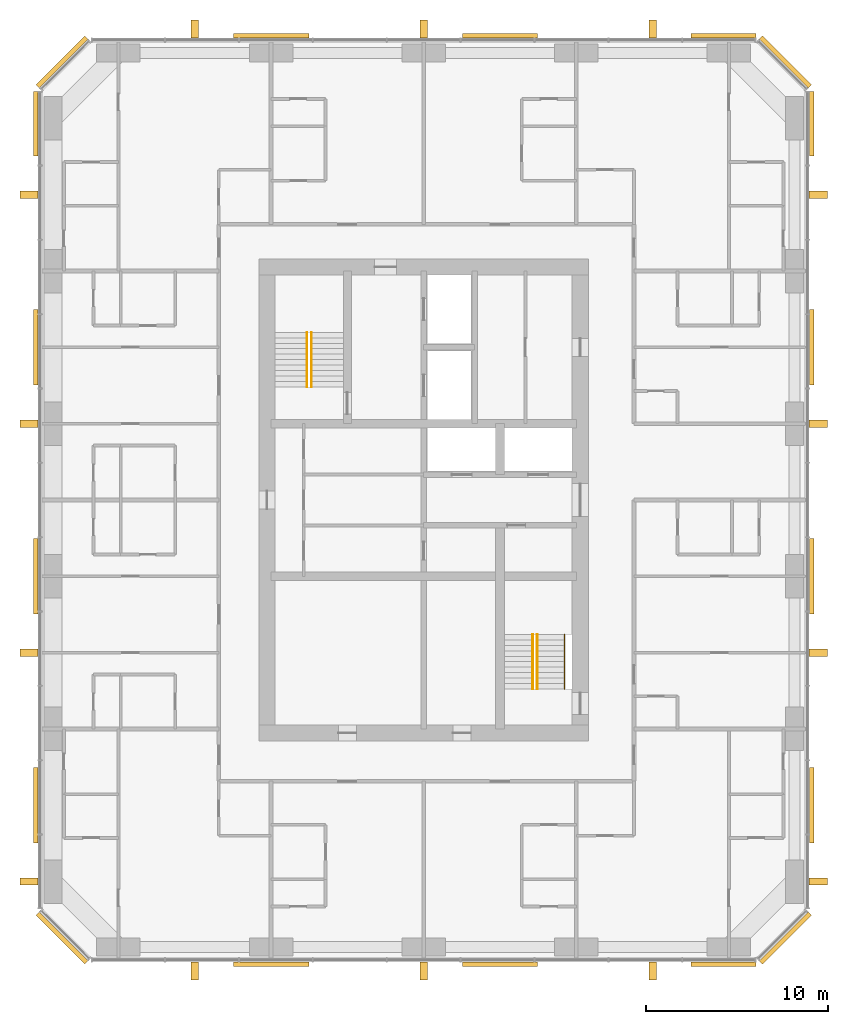
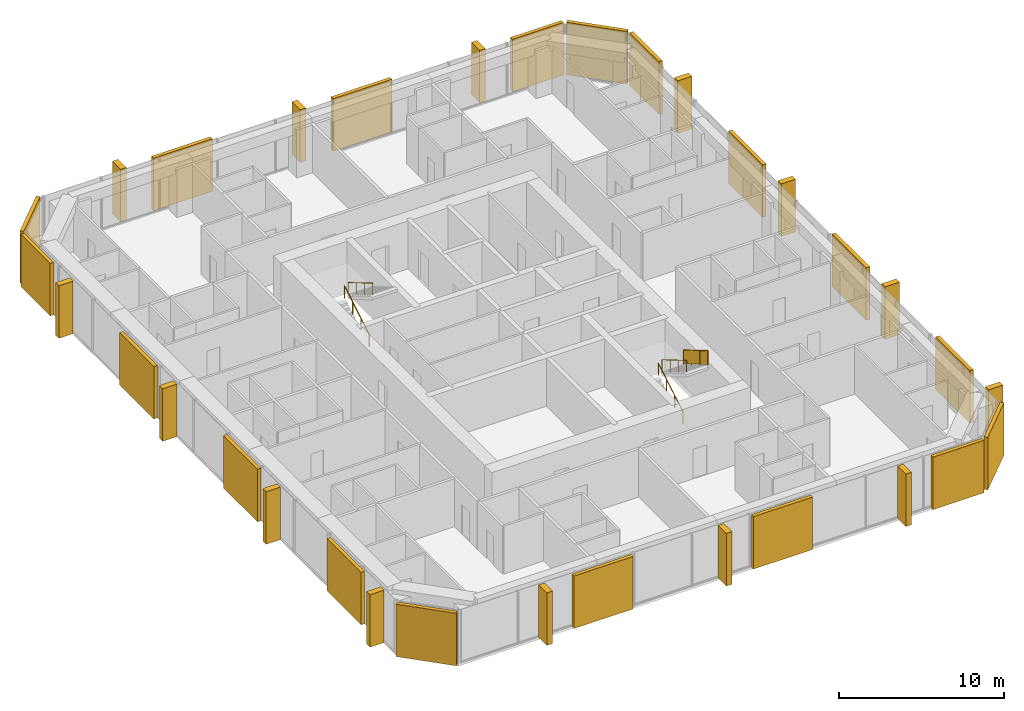
# One storey, part 12 of 12: 18 coverings, 14 shading devices, 5 railings.
"""IFC4 building model written with IfcOpenShell, lengths in metres."""

import ifcopenshell
import ifcopenshell.guid

model = None  # the IFC model being written
_history = None  # IfcOwnerHistory: only IFC2X3 demands one
_inside = {}  # id of a spatial element -> (the spatial element, [elements in it])
_under = {}  # id of a project, library or spatial element -> (it, [spatial elements below it])
_declared = {}  # id of a project -> (the project, [libraries it declares])
_typed = {}  # id of a type object -> (the type object, [elements of that type])
_made_of = {}  # id of a material, layer set ... -> (it, [elements and type objects made of it])


def new_model(schema):
    """Start an empty IFC model of exactly this schema.

    Asked for "IFC4X3", IfcOpenShell would pick the latest addendum, in which some entities
    have other attributes; the version numbers below select the first issue.
    IFC2X3 requires an IfcOwnerHistory on every rooted entity: one is made here for all.
    """
    global model, _history
    if schema == "IFC4X3":
        model = ifcopenshell.file(schema_version=(4, 3, 0, 0))
    else:
        model = ifcopenshell.file(schema=schema)
    _inside.clear()
    _under.clear()
    _declared.clear()
    _typed.clear()
    _made_of.clear()
    _history = None
    if model.schema == "IFC2X3":
        org = make("IfcOrganization", Name="unknown")
        user = make(
            "IfcPersonAndOrganization",
            ThePerson=make("IfcPerson", FamilyName="unknown"),
            TheOrganization=org,
        )
        app = make(
            "IfcApplication",
            ApplicationDeveloper=org,
            Version="unknown",
            ApplicationFullName="unknown",
            ApplicationIdentifier="unknown",
        )
        _history = make(
            "IfcOwnerHistory",
            OwningUser=user,
            OwningApplication=app,
            ChangeAction="ADDED",
            CreationDate=0,
        )
    return model


def make(cls, **values):
    """One entity of the class cls with the attributes given. An attribute that is None is left unset."""
    return model.create_entity(
        cls, **{name: value for name, value in values.items() if value is not None}
    )


def rooted(cls, **values):
    """An entity with a GlobalId (a new one), such as an element, a storey or a relation."""
    return make(cls, GlobalId=ifcopenshell.guid.new(), OwnerHistory=_history, **values)


def si_unit(unit_type, name, prefix=None):
    """IfcSIUnit, for example si_unit("LENGTHUNIT", "METRE", prefix="MILLI")."""
    return make("IfcSIUnit", UnitType=unit_type, Prefix=prefix, Name=name)


def assignment(units):
    """IfcUnitAssignment: the units of a project."""
    return None if units is None else make("IfcUnitAssignment", Units=units)


def point(xyz):
    """IfcCartesianPoint."""
    return None if xyz is None else make("IfcCartesianPoint", Coordinates=xyz)


def direction(xyz):
    """IfcDirection."""
    return None if xyz is None else make("IfcDirection", DirectionRatios=xyz)


def frame(location, z_axis=None, x_axis=None):
    """IfcAxis2Placement3D, a coordinate frame: its origin and axes. An axis left out is left unset."""
    return make(
        "IfcAxis2Placement3D",
        Location=point(location),
        Axis=direction(z_axis),
        RefDirection=direction(x_axis),
    )


def frame_2d(location, x_axis=None):
    """IfcAxis2Placement2D, a coordinate frame in the plane: its origin and x axis."""
    return make(
        "IfcAxis2Placement2D", Location=point(location), RefDirection=direction(x_axis)
    )


def origin():
    """The frame at (0, 0, 0) with its axes left unset."""
    return frame((0.0, 0.0, 0.0))


def origin_2d():
    """The frame at (0, 0) in the plane with its x axis left unset."""
    return frame_2d((0.0, 0.0))


def place(relative_to, where):
    """IfcLocalPlacement: puts the frame where relative to a parent placement (None: the world)."""
    return make(
        "IfcLocalPlacement", PlacementRelTo=relative_to, RelativePlacement=where
    )


def context(
    kind, dimensions, precision=None, world=None, true_north=None, identifier=None
):
    """IfcGeometricRepresentationContext, for example the 3D "Model" context."""
    return make(
        "IfcGeometricRepresentationContext",
        ContextIdentifier=identifier,
        ContextType=kind,
        CoordinateSpaceDimension=dimensions,
        Precision=precision,
        WorldCoordinateSystem=world,
        TrueNorth=true_north,
    )


def subcontext(parent, identifier, kind, view, scale=None):
    """IfcGeometricRepresentationSubContext, for example "Body" below "Model"."""
    return make(
        "IfcGeometricRepresentationSubContext",
        ContextIdentifier=identifier,
        ContextType=kind,
        ParentContext=parent,
        TargetScale=scale,
        TargetView=view,
    )


def project(units=None, contexts=None):
    """IfcProject with its units and contexts."""
    return rooted(
        "IfcProject",
        Name="project",
        RepresentationContexts=contexts,
        UnitsInContext=assignment(units),
    )


def spatial(cls, under=None, at=None, **own):
    """A site, building, storey or space (cls), placed at a placement, below another one or the project."""
    s = rooted(cls, ObjectPlacement=at, **own)
    if under is not None:
        _under.setdefault(under.id(), (under, []))[1].append(s)
    return s


def polyline(points):
    """IfcPolyline through the points."""
    return make("IfcPolyline", Points=[point(p) for p in points])


def profile(cls, at=None, kind="AREA", **sizes):
    """A parametric profile (cls). Its sizes go by their IFC names, for example OverallWidth=200.0."""
    return make(cls, ProfileType=kind, Position=at, **sizes)


def rectangle(**sizes):
    """IfcRectangleProfileDef."""
    return profile("IfcRectangleProfileDef", **sizes)


def circle(**sizes):
    """IfcCircleProfileDef."""
    return profile("IfcCircleProfileDef", **sizes)


def outline(outer, holes=None, kind="AREA"):
    """IfcArbitraryClosedProfileDef: a profile drawn as a closed curve; with holes, ...WithVoids."""
    if holes is None:
        return make("IfcArbitraryClosedProfileDef", ProfileType=kind, OuterCurve=outer)
    return make(
        "IfcArbitraryProfileDefWithVoids",
        ProfileType=kind,
        OuterCurve=outer,
        InnerCurves=holes,
    )


def extrude(swept, where, along, depth):
    """IfcExtrudedAreaSolid: the profile swept, set in the frame where, extruded along a direction by depth."""
    return make(
        "IfcExtrudedAreaSolid",
        SweptArea=swept,
        Position=where,
        ExtrudedDirection=direction(along),
        Depth=depth,
    )


def shape(context_of_items, identifier, shape_type, items):
    """IfcShapeRepresentation: the items that make up one representation, for example the "Body"."""
    return make(
        "IfcShapeRepresentation",
        ContextOfItems=context_of_items,
        RepresentationIdentifier=identifier,
        RepresentationType=shape_type,
        Items=items,
    )


def material(Name=None, Category=None):
    """IfcMaterial."""
    return make("IfcMaterial", Name=Name, Category=Category)


def layer(
    of_material, thickness, ventilated=None, Name=None, Category=None, Priority=None
):
    """IfcMaterialLayer: one layer of a wall or slab, of a material (None: an air gap)."""
    return make(
        "IfcMaterialLayer",
        Material=of_material,
        LayerThickness=thickness,
        IsVentilated=ventilated,
        Name=Name,
        Category=Category,
        Priority=Priority,
    )


def layer_set(layers, Name=None):
    """IfcMaterialLayerSet."""
    return make("IfcMaterialLayerSet", MaterialLayers=layers, LayerSetName=Name)


def made_of(thing, what):
    """Note that an element or type object is made of a material, layer set ...; save() writes the relation."""
    if what is not None:
        _made_of.setdefault(what.id(), (what, []))[1].append(thing)
    return thing


def type_object(cls, material=None, **own):
    """A type object (cls), such as IfcWallType, which elements share."""
    return made_of(rooted(cls, **own), material)


def element(
    cls,
    number,
    at=None,
    inside=None,
    cuts=None,
    type_object=None,
    material=None,
    context=None,
    identifier="Body",
    shape_type=None,
    held_by="IfcProductDefinitionShape",
    body=None,
    shapes=None,
    **own,
):
    """One element of the class cls, such as IfcWall. Its Tag is "e" and its number.

    at: its placement. inside: the storey or other place that contains it. cuts: it is an
    opening in that element (IfcRelVoidsElement). A single representation is given by context,
    identifier, shape_type and body (its items); several are given by shapes. held_by: the class
    of the entity that holds the representations. save() writes the other relations.
    """
    e = rooted(cls, Tag="e%d" % number, ObjectPlacement=at, **own)
    if body is not None:
        shapes = [shape(context, identifier, shape_type, body)]
    if shapes is not None:
        e.Representation = make(held_by, Representations=shapes)
    if inside is not None:
        _inside.setdefault(inside.id(), (inside, []))[1].append(e)
    if cuts is not None:
        rooted(
            "IfcRelVoidsElement", RelatingBuildingElement=cuts, RelatedOpeningElement=e
        )
    if type_object is not None:
        _typed.setdefault(type_object.id(), (type_object, []))[1].append(e)
    return made_of(e, material)


def aggregate(whole, parts):
    """IfcRelAggregates: a whole, such as a stair, and the parts it consists of."""
    return rooted("IfcRelAggregates", RelatingObject=whole, RelatedObjects=parts)


def save(model, path):
    """Write the relations noted so far, then the file.

    IfcRelAggregates (storeys below a building ...), IfcRelContainedInSpatialStructure (elements
    in a storey), IfcRelDefinesByType, IfcRelAssociatesMaterial and IfcRelDeclares: one each for
    every whole, place, type object, material and project.
    """
    for whole, parts in _under.values():
        aggregate(whole, parts)
    for where, things in _inside.values():
        rooted(
            "IfcRelContainedInSpatialStructure",
            RelatedElements=things,
            RelatingStructure=where,
        )
    for kind, things in _typed.values():
        rooted("IfcRelDefinesByType", RelatedObjects=things, RelatingType=kind)
    for what, things in _made_of.values():
        rooted("IfcRelAssociatesMaterial", RelatedObjects=things, RelatingMaterial=what)
    for by, libraries in _declared.values():
        rooted("IfcRelDeclares", RelatingContext=by, RelatedDefinitions=libraries)
    model.write(path)


model = new_model("IFC4")

# Units and contexts
model_context = context("Model", 3, precision=1e-05, world=origin(), true_north=direction((0.0, 1.0)))
body_context = subcontext(model_context, "Body", "Model", "MODEL_VIEW")
ifc_project = project(units=[si_unit("LENGTHUNIT", "METRE"), si_unit("AREAUNIT", "SQUARE_METRE"), si_unit("VOLUMEUNIT", "CUBIC_METRE"), si_unit("PLANEANGLEUNIT", "RADIAN"), si_unit("MASSUNIT", "GRAM", prefix="KILO")], contexts=[model_context])

# Site, building, storey
site_placement = place(None, origin())
site = spatial("IfcSite", under=ifc_project, at=site_placement, CompositionType="ELEMENT")
building_placement = place(site_placement, origin())
building = spatial("IfcBuilding", under=site, at=building_placement, Name="Dunama Terrace Hotel", CompositionType="ELEMENT")
storey_placement = place(building_placement, frame((0.0, 0.0, 237.300048828125)))
storey = spatial("IfcBuildingStorey", under=building, at=storey_placement, Name="L61", CompositionType="ELEMENT", Elevation=237.300048828125)

# Railings
ifc_material_1 = material(Name="Stainless steel and laminated glass guard", Category="steel")
railing_type_1 = type_object("IfcRailingType", Name="Guard 1100", PredefinedType="GUARDRAIL", material=ifc_material_1)
railing_1_placement = place(storey_placement, frame((41.35009765625, 22.0, 2.127197265625)))
element("IfcRailing", 1, at=railing_1_placement, inside=storey, type_object=railing_type_1, Name="Stair guard ST2 L61", PredefinedType="GUARDRAIL", context=body_context, shape_type="SweptSolid", body=[
    extrude(circle(Radius=0.02392578125, at=origin_2d()), frame((0.0, 0.0, 1.076171875), z_axis=(0.0, -0.86092931783, 0.508724591208), x_axis=(1.0, 0.0, 0.0)), (0.0, 0.0, 1.0), 3.484619140625),
    extrude(circle(Radius=0.02099609375, at=origin_2d()), origin(), (0.0, 0.0, 1.0), 1.052001953125),
    extrude(circle(Radius=0.02099609375, at=origin_2d()), frame((0.0, -1.0, 0.5908203125)), (0.0, 0.0, 1.0), 1.052001953125),
    extrude(circle(Radius=0.02099609375, at=origin_2d()), frame((0.0, -2.0, 1.181884765625)), (0.0, 0.0, 1.0), 1.052001953125),
    extrude(circle(Radius=0.02099609375, at=origin_2d()), frame((0.0, -3.0, 1.772705078125)), (0.0, 0.0, 1.0), 1.052001953125),
    extrude(outline(polyline([(0.0048828125, 0.052978515625), (0.9951171875, 0.63818359375), (0.9951171875, 1.6640625), (0.0048828125, 1.078857421875), (0.0048828125, 0.052978515625)])), frame((0.0087890625, 0.0, 0.0), z_axis=(-1.0, 0.0, 0.0), x_axis=(0.0, -1.0, 0.0)), (0.0, 0.0, 1.0), 0.017578125),
    extrude(outline(polyline([(0.0048828125, 0.052978515625), (0.9951171875, 0.63818359375), (0.9951171875, 1.6640625), (0.0048828125, 1.078857421875), (0.0048828125, 0.052978515625)])), frame((0.0087890625, -1.0, 0.5908203125), z_axis=(-1.0, 0.0, 0.0), x_axis=(0.0, -1.0, 0.0)), (0.0, 0.0, 1.0), 0.017578125),
    extrude(outline(polyline([(0.0048828125, 0.052978515625), (0.9951171875, 0.63818359375), (0.9951171875, 1.6640625), (0.0048828125, 1.078857421875), (0.0048828125, 0.052978515625)])), frame((0.0087890625, -2.0, 1.181884765625), z_axis=(-1.0, 0.0, 0.0), x_axis=(0.0, -1.0, 0.0)), (0.0, 0.0, 1.0), 0.017578125),
])
ifc_material_2 = material(Name="Stainless steel handrail", Category="steel")
railing_type_2 = type_object("IfcRailingType", Name="Stair handrail 900", PredefinedType="HANDRAIL", material=ifc_material_2)
railing_2_placement = place(storey_placement, frame((27.175048828125, 35.625, 0.17724609375)))
element("IfcRailing", 2, at=railing_2_placement, inside=storey, type_object=railing_type_2, Name="Handrail ST1 L61", PredefinedType="HANDRAIL", context=body_context, shape_type="SweptSolid", body=[
    extrude(circle(Radius=0.02392578125, at=origin_2d()), frame((0.0, 0.0, 0.8759765625), z_axis=(0.0, 0.86092931783, 0.508724591208), x_axis=(-1.0, 0.0, 0.0)), (0.0, 0.0, 1.0), 3.484619140625),
    extrude(circle(Radius=0.02099609375, at=origin_2d()), origin(), (0.0, 0.0, 1.0), 0.851806640625),
    extrude(circle(Radius=0.02099609375, at=origin_2d()), frame((0.0, 1.0, 0.5908203125)), (0.0, 0.0, 1.0), 0.851806640625),
    extrude(circle(Radius=0.02099609375, at=origin_2d()), frame((0.0, 2.0, 1.181884765625)), (0.0, 0.0, 1.0), 0.851806640625),
    extrude(circle(Radius=0.02099609375, at=origin_2d()), frame((0.0, 3.0, 1.772705078125)), (0.0, 0.0, 1.0), 0.851806640625),
])
railing_3_placement = place(storey_placement, frame((27.425048828125, 38.625, 2.127197265625)))
element("IfcRailing", 3, at=railing_3_placement, inside=storey, type_object=railing_type_2, Name="Handrail ST1 L61", PredefinedType="HANDRAIL", context=body_context, shape_type="SweptSolid", body=[
    extrude(circle(Radius=0.02392578125, at=origin_2d()), frame((0.0, 0.0, 0.8759765625), z_axis=(0.0, -0.86092931783, 0.508724591208), x_axis=(1.0, 0.0, 0.0)), (0.0, 0.0, 1.0), 3.484619140625),
    extrude(circle(Radius=0.02099609375, at=origin_2d()), origin(), (0.0, 0.0, 1.0), 0.851806640625),
    extrude(circle(Radius=0.02099609375, at=origin_2d()), frame((0.0, -1.0, 0.5908203125)), (0.0, 0.0, 1.0), 0.851806640625),
    extrude(circle(Radius=0.02099609375, at=origin_2d()), frame((0.0, -2.0, 1.181884765625)), (0.0, 0.0, 1.0), 0.851806640625),
    extrude(circle(Radius=0.02099609375, at=origin_2d()), frame((0.0, -3.0, 1.772705078125)), (0.0, 0.0, 1.0), 0.851806640625),
])
railing_4_placement = place(storey_placement, frame((39.60009765625, 19.0, 0.17724609375)))
element("IfcRailing", 4, at=railing_4_placement, inside=storey, type_object=railing_type_2, Name="Handrail ST2 L61", PredefinedType="HANDRAIL", context=body_context, shape_type="SweptSolid", body=[
    extrude(circle(Radius=0.02392578125, at=origin_2d()), frame((0.0, 0.0, 0.8759765625), z_axis=(0.0, 0.86092931783, 0.508724591208), x_axis=(-1.0, 0.0, 0.0)), (0.0, 0.0, 1.0), 3.484619140625),
    extrude(circle(Radius=0.02099609375, at=origin_2d()), origin(), (0.0, 0.0, 1.0), 0.851806640625),
    extrude(circle(Radius=0.02099609375, at=origin_2d()), frame((0.0, 1.0, 0.5908203125)), (0.0, 0.0, 1.0), 0.851806640625),
    extrude(circle(Radius=0.02099609375, at=origin_2d()), frame((0.0, 2.0, 1.181884765625)), (0.0, 0.0, 1.0), 0.851806640625),
    extrude(circle(Radius=0.02099609375, at=origin_2d()), frame((0.0, 3.0, 1.772705078125)), (0.0, 0.0, 1.0), 0.851806640625),
])
railing_5_placement = place(storey_placement, frame((39.85009765625, 22.0, 2.127197265625)))
element("IfcRailing", 5, at=railing_5_placement, inside=storey, type_object=railing_type_2, Name="Handrail ST2 L61", PredefinedType="HANDRAIL", context=body_context, shape_type="SweptSolid", body=[
    extrude(circle(Radius=0.02392578125, at=origin_2d()), frame((0.0, 0.0, 0.8759765625), z_axis=(0.0, -0.86092931783, 0.508724591208), x_axis=(1.0, 0.0, 0.0)), (0.0, 0.0, 1.0), 3.484619140625),
    extrude(circle(Radius=0.02099609375, at=origin_2d()), origin(), (0.0, 0.0, 1.0), 0.851806640625),
    extrude(circle(Radius=0.02099609375, at=origin_2d()), frame((0.0, -1.0, 0.5908203125)), (0.0, 0.0, 1.0), 0.851806640625),
    extrude(circle(Radius=0.02099609375, at=origin_2d()), frame((0.0, -2.0, 1.181884765625)), (0.0, 0.0, 1.0), 0.851806640625),
    extrude(circle(Radius=0.02099609375, at=origin_2d()), frame((0.0, -3.0, 1.772705078125)), (0.0, 0.0, 1.0), 0.851806640625),
])

# Coverings
ifc_material_3 = material(Name="Warm reconstituted stone panel", Category="masonry")
ifc_layer_1 = layer(ifc_material_3, 0.25)
ifc_layer_set_1 = layer_set([ifc_layer_1], Name="Stone diagonal panel")
covering_type = type_object("IfcCoveringType", Name="Stone diagonal panel", PredefinedType="CLADDING", material=ifc_layer_set_1)
for number, where, z_axis, x_axis, name in (
    (6, (25.199951171875, 3.8369140625, 0.001953125), (0.0, 0.0, 1.0), (1.0, 0.0, 0.0), "Stone diagonal panel L61"),
    (7, (37.800048828125, 3.8369140625, 0.001953125), (0.0, 0.0, 1.0), (1.0, 0.0, 0.0), "Stone diagonal panel L61"),
):
    element("IfcCovering", number, at=place(storey_placement, frame(where, z_axis=z_axis, x_axis=x_axis)), inside=storey, type_object=covering_type, Name=name, PredefinedType="CLADDING", context=body_context, shape_type="SweptSolid", body=[
        extrude(rectangle(XDim=4.14990234375, YDim=0.25, at=origin_2d()), origin(), (0.0, 0.0, 1.0), 3.89599609375),
    ])
covering_1_placement = place(storey_placement, frame((50.110107421875, 3.8369140625, 0.001953125), z_axis=(0.0, 0.0, 1.0), x_axis=(1.0, 0.0, 0.0)))
element("IfcCovering", 8, at=covering_1_placement, inside=storey, type_object=covering_type, Name="Stone diagonal panel L61", PredefinedType="CLADDING", context=body_context, shape_type="SweptSolid", body=[
    extrude(rectangle(XDim=3.570068359375, YDim=0.25, at=origin_2d()), origin(), (0.0, 0.0, 1.0), 3.89599609375),
])
covering_2_placement = place(storey_placement, frame((53.507080078125, 5.29296875, 0.001953125), z_axis=(0.0, 0.0, 1.0), x_axis=(0.707106781187, 0.707106781187, 0.0)))
element("IfcCovering", 9, at=covering_2_placement, inside=storey, type_object=covering_type, Name="Stone diagonal panel L61", PredefinedType="CLADDING", context=body_context, shape_type="SweptSolid", body=[
    extrude(rectangle(XDim=3.808349609375, YDim=0.25, at=origin_2d()), origin(), (0.0, 0.0, 1.0), 3.89599609375),
])
for number, where, z_axis, x_axis, name in (
    (10, (54.962890625, 12.60009765625, 0.001953125), (0.0, 0.0, 1.0), (0.0, 1.0, 0.0), "Stone diagonal panel L61"),
    (11, (54.962890625, 25.199951171875, 0.001953125), (0.0, 0.0, 1.0), (0.0, 1.0, 0.0), "Stone diagonal panel L61"),
    (12, (54.962890625, 37.800048828125, 0.001953125), (0.0, 0.0, 1.0), (0.0, 1.0, 0.0), "Stone diagonal panel L61"),
):
    element("IfcCovering", number, at=place(storey_placement, frame(where, z_axis=z_axis, x_axis=x_axis)), inside=storey, type_object=covering_type, Name=name, PredefinedType="CLADDING", context=body_context, shape_type="SweptSolid", body=[
        extrude(rectangle(XDim=4.14990234375, YDim=0.25, at=origin_2d()), origin(), (0.0, 0.0, 1.0), 3.89599609375),
    ])
covering_3_placement = place(storey_placement, frame((54.962890625, 50.110107421875, 0.001953125), z_axis=(0.0, 0.0, 1.0), x_axis=(0.0, 1.0, 0.0)))
element("IfcCovering", 13, at=covering_3_placement, inside=storey, type_object=covering_type, Name="Stone diagonal panel L61", PredefinedType="CLADDING", context=body_context, shape_type="SweptSolid", body=[
    extrude(rectangle(XDim=3.570068359375, YDim=0.25, at=origin_2d()), origin(), (0.0, 0.0, 1.0), 3.89599609375),
])
covering_4_placement = place(storey_placement, frame((53.507080078125, 53.507080078125, 0.001953125), z_axis=(0.0, 0.0, 1.0), x_axis=(-0.707106781187, 0.707106781187, 0.0)))
element("IfcCovering", 14, at=covering_4_placement, inside=storey, type_object=covering_type, Name="Stone diagonal panel L61", PredefinedType="CLADDING", context=body_context, shape_type="SweptSolid", body=[
    extrude(rectangle(XDim=3.808349609375, YDim=0.25, at=origin_2d()), origin(), (0.0, 0.0, 1.0), 3.89599609375),
])
covering_5_placement = place(storey_placement, frame((50.110107421875, 54.962890625, 0.001953125), z_axis=(0.0, 0.0, 1.0), x_axis=(-1.0, 0.0, 0.0)))
element("IfcCovering", 15, at=covering_5_placement, inside=storey, type_object=covering_type, Name="Stone diagonal panel L61", PredefinedType="CLADDING", context=body_context, shape_type="SweptSolid", body=[
    extrude(rectangle(XDim=3.570068359375, YDim=0.25, at=origin_2d()), origin(), (0.0, 0.0, 1.0), 3.89599609375),
])
for number, where, z_axis, x_axis, name in (
    (16, (37.800048828125, 54.962890625, 0.001953125), (0.0, 0.0, 1.0), (-1.0, 0.0, 0.0), "Stone diagonal panel L61"),
    (17, (25.199951171875, 54.962890625, 0.001953125), (0.0, 0.0, 1.0), (-1.0, 0.0, 0.0), "Stone diagonal panel L61"),
):
    element("IfcCovering", number, at=place(storey_placement, frame(where, z_axis=z_axis, x_axis=x_axis)), inside=storey, type_object=covering_type, Name=name, PredefinedType="CLADDING", context=body_context, shape_type="SweptSolid", body=[
        extrude(rectangle(XDim=4.14990234375, YDim=0.25, at=origin_2d()), origin(), (0.0, 0.0, 1.0), 3.89599609375),
    ])
covering_6_placement = place(storey_placement, frame((13.693115234375, 53.507080078125, 0.001953125), z_axis=(0.0, 0.0, 1.0), x_axis=(-0.707106781187, -0.707106781187, 0.0)))
element("IfcCovering", 18, at=covering_6_placement, inside=storey, type_object=covering_type, Name="Stone diagonal panel L61", PredefinedType="CLADDING", context=body_context, shape_type="SweptSolid", body=[
    extrude(rectangle(XDim=3.808349609375, YDim=0.25, at=origin_2d()), origin(), (0.0, 0.0, 1.0), 3.89599609375),
])
covering_7_placement = place(storey_placement, frame((12.237060546875, 50.110107421875, 0.001953125), z_axis=(0.0, 0.0, 1.0), x_axis=(0.0, -1.0, 0.0)))
element("IfcCovering", 19, at=covering_7_placement, inside=storey, type_object=covering_type, Name="Stone diagonal panel L61", PredefinedType="CLADDING", context=body_context, shape_type="SweptSolid", body=[
    extrude(rectangle(XDim=3.570068359375, YDim=0.25, at=origin_2d()), origin(), (0.0, 0.0, 1.0), 3.89599609375),
])
for number, where, z_axis, x_axis, name in (
    (20, (12.237060546875, 37.800048828125, 0.001953125), (0.0, 0.0, 1.0), (0.0, -1.0, 0.0), "Stone diagonal panel L61"),
    (21, (12.237060546875, 25.199951171875, 0.001953125), (0.0, 0.0, 1.0), (0.0, -1.0, 0.0), "Stone diagonal panel L61"),
    (22, (12.237060546875, 12.60009765625, 0.001953125), (0.0, 0.0, 1.0), (0.0, -1.0, 0.0), "Stone diagonal panel L61"),
):
    element("IfcCovering", number, at=place(storey_placement, frame(where, z_axis=z_axis, x_axis=x_axis)), inside=storey, type_object=covering_type, Name=name, PredefinedType="CLADDING", context=body_context, shape_type="SweptSolid", body=[
        extrude(rectangle(XDim=4.14990234375, YDim=0.25, at=origin_2d()), origin(), (0.0, 0.0, 1.0), 3.89599609375),
    ])
covering_8_placement = place(storey_placement, frame((13.693115234375, 5.29296875, 0.001953125), z_axis=(0.0, 0.0, 1.0), x_axis=(0.707106781187, -0.707106781187, 0.0)))
element("IfcCovering", 23, at=covering_8_placement, inside=storey, type_object=covering_type, Name="Stone diagonal panel L61", PredefinedType="CLADDING", context=body_context, shape_type="SweptSolid", body=[
    extrude(rectangle(XDim=3.808349609375, YDim=0.25, at=origin_2d()), origin(), (0.0, 0.0, 1.0), 3.89599609375),
])

# Shading devices
ifc_material_4 = material(Name="Warm reconstituted stone fin", Category="masonry")
ifc_layer_2 = layer(ifc_material_4, 0.39990234375)
ifc_layer_set_2 = layer_set([ifc_layer_2], Name="Warm stone fin 400x1000")
shading_device_type = type_object("IfcShadingDeviceType", Name="Warm stone fin 400x1000", PredefinedType="USERDEFINED", material=ifc_layer_set_2)
for number, where, z_axis, x_axis, name in (
    (24, (21.0, 3.48193359375, 0.0), (0.0, 0.0, 1.0), (1.0, 0.0, 0.0), "Stone fin"),
    (25, (33.60009765625, 3.48193359375, 0.0), (0.0, 0.0, 1.0), (1.0, 0.0, 0.0), "Stone fin"),
    (26, (46.199951171875, 3.48193359375, 0.0), (0.0, 0.0, 1.0), (1.0, 0.0, 0.0), "Stone fin"),
    (27, (55.318115234375, 8.39990234375, 0.0), (0.0, 0.0, 1.0), (0.0, 1.0, 0.0), "Stone fin"),
    (28, (55.318115234375, 21.0, 0.0), (0.0, 0.0, 1.0), (0.0, 1.0, 0.0), "Stone fin"),
    (29, (55.318115234375, 33.60009765625, 0.0), (0.0, 0.0, 1.0), (0.0, 1.0, 0.0), "Stone fin"),
    (30, (55.318115234375, 46.199951171875, 0.0), (0.0, 0.0, 1.0), (0.0, 1.0, 0.0), "Stone fin"),
    (31, (46.199951171875, 55.318115234375, 0.0), (0.0, 0.0, 1.0), (-1.0, 0.0, 0.0), "Stone fin"),
    (32, (33.60009765625, 55.318115234375, 0.0), (0.0, 0.0, 1.0), (-1.0, 0.0, 0.0), "Stone fin"),
    (33, (21.0, 55.318115234375, 0.0), (0.0, 0.0, 1.0), (-1.0, 0.0, 0.0), "Stone fin"),
    (34, (11.882080078125, 46.199951171875, 0.0), (0.0, 0.0, 1.0), (0.0, -1.0, 0.0), "Stone fin"),
    (35, (11.882080078125, 33.60009765625, 0.0), (0.0, 0.0, 1.0), (0.0, -1.0, 0.0), "Stone fin"),
    (36, (11.882080078125, 21.0, 0.0), (0.0, 0.0, 1.0), (0.0, -1.0, 0.0), "Stone fin"),
    (37, (11.882080078125, 8.39990234375, 0.0), (0.0, 0.0, 1.0), (0.0, -1.0, 0.0), "Stone fin"),
):
    element("IfcShadingDevice", number, at=place(storey_placement, frame(where, z_axis=z_axis, x_axis=x_axis)), inside=storey, type_object=shading_device_type, Name=name, ObjectType="FIN", PredefinedType="USERDEFINED", context=body_context, shape_type="SweptSolid", body=[
        extrude(rectangle(XDim=0.39990234375, YDim=1.0, at=origin_2d()), origin(), (0.0, 0.0, 1.0), 3.89990234375),
    ])

save(model, "model.ifc")
